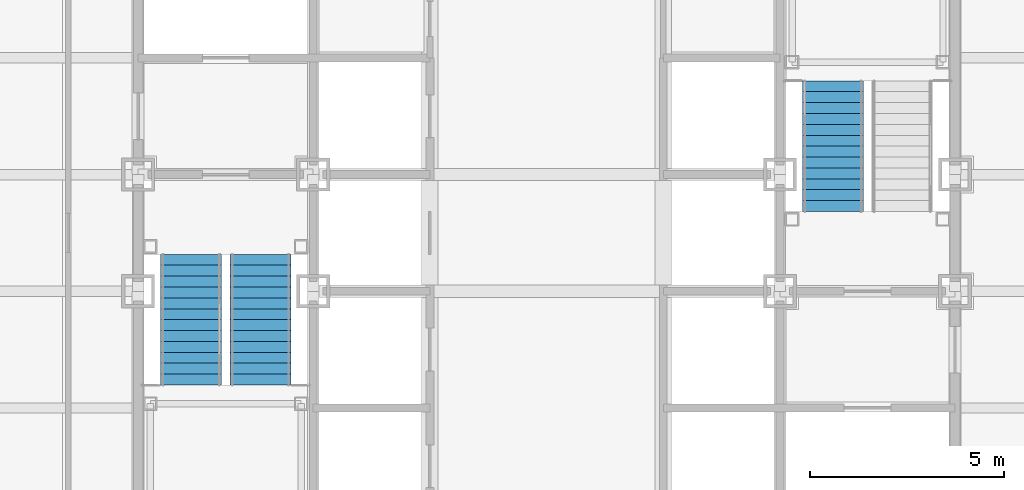
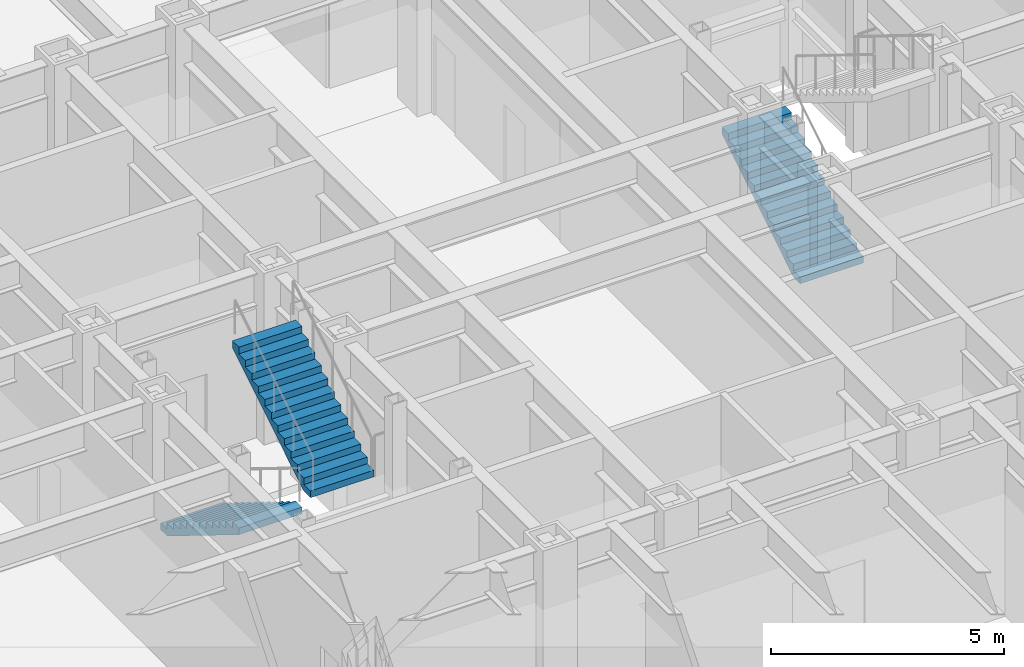
# One storey, part 12 of 17: 3 stair flights, 2 elements without a shape of their own.
"""IFC4 building model written with IfcOpenShell, lengths in metres."""

from ifc_helpers import new_model, si_unit, direction, frame, origin, place, context, subcontext, project, spatial, faceted_brep, material, type_object, element, aggregate, save


model = new_model("IFC4")

# Units and contexts
model_context = context("Model", 3, precision=1e-05, world=origin(), true_north=direction((0.0, 1.0)))
body_context = subcontext(model_context, "Body", "Model", "MODEL_VIEW")
ifc_project = project(units=[si_unit("LENGTHUNIT", "METRE"), si_unit("AREAUNIT", "SQUARE_METRE"), si_unit("VOLUMEUNIT", "CUBIC_METRE"), si_unit("PLANEANGLEUNIT", "RADIAN"), si_unit("MASSUNIT", "GRAM", prefix="KILO")], contexts=[model_context])

# Site, building, storey
site_placement = place(None, origin())
site = spatial("IfcSite", under=ifc_project, at=site_placement, CompositionType="ELEMENT")
building_placement = place(site_placement, origin())
building = spatial("IfcBuilding", under=site, at=building_placement, Name="Chuquiago Exchange Tower", CompositionType="ELEMENT")
storey_placement = place(building_placement, frame((0.0, 0.0, 91.800048828125)))
storey = spatial("IfcBuildingStorey", under=building, at=storey_placement, Name="L19", CompositionType="ELEMENT", Elevation=91.800048828125)

# Stair, stair flights
ifc_material_1 = material(Name="Concrete C30/37, precast", Category="concrete")
stair_type_1 = type_object("IfcStairType", Name="ST1 half-turn stair 4500", PredefinedType="HALF_TURN_STAIR", material=ifc_material_1)
stair_1_placement = place(storey_placement, origin())
stair_1 = element("IfcStair", 1, at=stair_1_placement, inside=storey, type_object=stair_type_1, Name="Stair ST1 L19", PredefinedType="HALF_TURN_STAIR")
ifc_material_2 = material(Name="Concrete C30/37, precast", Category="concrete")
stair_flight_type = type_object("IfcStairFlightType", Name="ST-F flight 1570 for 4500 storey", PredefinedType="STRAIGHT", material=ifc_material_2)
stair_flight_1_placement = place(storey_placement, frame((13.360107421875, 21.949951171875, 0.0), z_axis=(0.0, 0.0, 1.0), x_axis=(0.0, -1.0, 0.0)))
stair_flight_1 = element("IfcStairFlight", 2, at=stair_flight_1_placement, type_object=stair_flight_type, Name="ST1 flight 1", NumberOfRisers=13, NumberOfTreads=12, PredefinedType="STRAIGHT", RiserHeight=0.173076923, TreadLength=0.28, context=body_context, shape_type="Brep", body=[
    faceted_brep([(0.0, 0.78515625, 0.0), (0.0, 0.78515625, 0.173095703125), (0.280029296875, 0.78515625, 0.173095703125), (0.280029296875, 0.78515625, 0.34619140625), (0.56005859375, 0.78515625, 0.34619140625), (0.56005859375, 0.78515625, 0.519287109375), (0.840087890625, 0.78515625, 0.519287109375), (0.840087890625, 0.78515625, 0.6923828125), (1.1201171875, 0.78515625, 0.6923828125), (1.1201171875, 0.78515625, 0.865478515625), (1.39990234375, 0.78515625, 0.865478515625), (1.39990234375, 0.78515625, 1.03857421875), (1.679931640625, 0.78515625, 1.03857421875), (1.679931640625, 0.78515625, 1.21142578125), (1.9599609375, 0.78515625, 1.21142578125), (1.9599609375, 0.78515625, 1.384521484375), (2.239990234375, 0.78515625, 1.384521484375), (2.239990234375, 0.78515625, 1.5576171875), (2.52001953125, 0.78515625, 1.5576171875), (2.52001953125, 0.78515625, 1.730712890625), (2.800048828125, 0.78515625, 1.730712890625), (2.800048828125, 0.78515625, 1.90380859375), (3.080078125, 0.78515625, 1.90380859375), (3.080078125, 0.78515625, 2.076904296875), (3.360107421875, 0.78515625, 2.076904296875), (3.360107421875, 0.78515625, 1.900634765625), (0.28515625, 0.78515625, 0.0), (0.28515625, -0.78515625, 0.0), (3.360107421875, -0.78515625, 1.900634765625), (3.360107421875, -0.78515625, 2.076904296875), (3.080078125, -0.78515625, 2.076904296875), (3.080078125, -0.78515625, 1.90380859375), (2.800048828125, -0.78515625, 1.90380859375), (2.800048828125, -0.78515625, 1.730712890625), (2.52001953125, -0.78515625, 1.730712890625), (2.52001953125, -0.78515625, 1.5576171875), (2.239990234375, -0.78515625, 1.5576171875), (2.239990234375, -0.78515625, 1.384521484375), (1.9599609375, -0.78515625, 1.384521484375), (1.9599609375, -0.78515625, 1.21142578125), (1.679931640625, -0.78515625, 1.21142578125), (1.679931640625, -0.78515625, 1.03857421875), (1.39990234375, -0.78515625, 1.03857421875), (1.39990234375, -0.78515625, 0.865478515625), (1.1201171875, -0.78515625, 0.865478515625), (1.1201171875, -0.78515625, 0.6923828125), (0.840087890625, -0.78515625, 0.6923828125), (0.840087890625, -0.78515625, 0.519287109375), (0.56005859375, -0.78515625, 0.519287109375), (0.56005859375, -0.78515625, 0.34619140625), (0.280029296875, -0.78515625, 0.34619140625), (0.280029296875, -0.78515625, 0.173095703125), (0.0, -0.78515625, 0.173095703125), (0.0, -0.78515625, 0.0), (0.0, 0.392578125, 0.0), (0.0, 0.392578125, 0.173095703125), (0.0, 0.0, 0.0), (0.0, 0.0, 0.173095703125), (0.0, -0.392578125, 0.0), (0.0, -0.392578125, 0.173095703125), (0.280029296875, 0.392578125, 0.173095703125), (0.280029296875, 0.0, 0.173095703125), (0.280029296875, -0.392578125, 0.173095703125), (0.280029296875, 0.392578125, 0.34619140625), (0.280029296875, 0.0, 0.34619140625), (0.280029296875, -0.392578125, 0.34619140625), (0.56005859375, 0.392578125, 0.34619140625), (0.56005859375, 0.0, 0.34619140625), (0.56005859375, -0.392578125, 0.34619140625), (0.56005859375, 0.392578125, 0.519287109375), (0.56005859375, 0.0, 0.519287109375), (0.56005859375, -0.392578125, 0.519287109375), (0.840087890625, 0.392578125, 0.519287109375), (0.840087890625, 0.0, 0.519287109375), (0.840087890625, -0.392578125, 0.519287109375), (0.840087890625, 0.392578125, 0.6923828125), (0.840087890625, 0.0, 0.6923828125), (0.840087890625, -0.392578125, 0.6923828125), (1.1201171875, 0.392578125, 0.6923828125), (1.1201171875, 0.0, 0.6923828125), (1.1201171875, -0.392578125, 0.6923828125), (1.1201171875, 0.392578125, 0.865478515625), (1.1201171875, 0.0, 0.865478515625), (1.1201171875, -0.392578125, 0.865478515625), (1.39990234375, 0.392578125, 0.865478515625), (1.39990234375, 0.0, 0.865478515625), (1.39990234375, -0.392578125, 0.865478515625), (1.39990234375, 0.392578125, 1.03857421875), (1.39990234375, 0.0, 1.03857421875), (1.39990234375, -0.392578125, 1.03857421875), (1.679931640625, 0.392578125, 1.03857421875), (1.679931640625, 0.0, 1.03857421875), (1.679931640625, -0.392578125, 1.03857421875), (1.679931640625, 0.392578125, 1.21142578125), (1.679931640625, 0.0, 1.21142578125), (1.679931640625, -0.392578125, 1.21142578125), (1.9599609375, 0.392578125, 1.21142578125), (1.9599609375, 0.0, 1.21142578125), (1.9599609375, -0.392578125, 1.21142578125), (1.9599609375, 0.392578125, 1.384521484375), (1.9599609375, 0.0, 1.384521484375), (1.9599609375, -0.392578125, 1.384521484375), (2.239990234375, 0.392578125, 1.384521484375), (2.239990234375, 0.0, 1.384521484375), (2.239990234375, -0.392578125, 1.384521484375), (2.239990234375, 0.392578125, 1.5576171875), (2.239990234375, 0.0, 1.5576171875), (2.239990234375, -0.392578125, 1.5576171875), (2.52001953125, 0.392578125, 1.5576171875), (2.52001953125, 0.0, 1.5576171875), (2.52001953125, -0.392578125, 1.5576171875), (2.52001953125, 0.392578125, 1.730712890625), (2.52001953125, 0.0, 1.730712890625), (2.52001953125, -0.392578125, 1.730712890625), (2.800048828125, 0.392578125, 1.730712890625), (2.800048828125, 0.0, 1.730712890625), (2.800048828125, -0.392578125, 1.730712890625), (2.800048828125, 0.392578125, 1.90380859375), (2.800048828125, 0.0, 1.90380859375), (2.800048828125, -0.392578125, 1.90380859375), (3.080078125, 0.392578125, 1.90380859375), (3.080078125, 0.0, 1.90380859375), (3.080078125, -0.392578125, 1.90380859375), (3.080078125, 0.392578125, 2.076904296875), (3.080078125, 0.0, 2.076904296875), (3.080078125, -0.392578125, 2.076904296875), (3.360107421875, 0.392578125, 2.076904296875), (3.360107421875, 0.0, 2.076904296875), (3.360107421875, -0.392578125, 2.076904296875), (3.360107421875, 0.392578125, 1.900634765625), (3.360107421875, 0.0, 1.900634765625), (3.360107421875, -0.392578125, 1.900634765625), (0.28515625, 0.392578125, 0.0), (0.28515625, 0.0, 0.0), (0.28515625, -0.392578125, 0.0)], [[[0, 1, 2, 3, 4, 5, 6, 7, 8, 9, 10, 11, 12, 13, 14, 15, 16, 17, 18, 19, 20, 21, 22, 23, 24, 25, 26]], [[27, 28, 29, 30, 31, 32, 33, 34, 35, 36, 37, 38, 39, 40, 41, 42, 43, 44, 45, 46, 47, 48, 49, 50, 51, 52, 53]], [[1, 0, 54, 55]], [[55, 54, 56, 57]], [[57, 56, 58, 59]], [[59, 58, 53, 52]], [[2, 1, 55, 60]], [[60, 55, 57, 61]], [[61, 57, 59, 62]], [[62, 59, 52, 51]], [[3, 2, 60, 63]], [[63, 60, 61, 64]], [[64, 61, 62, 65]], [[65, 62, 51, 50]], [[4, 3, 63, 66]], [[66, 63, 64, 67]], [[67, 64, 65, 68]], [[68, 65, 50, 49]], [[5, 4, 66, 69]], [[69, 66, 67, 70]], [[70, 67, 68, 71]], [[71, 68, 49, 48]], [[6, 5, 69, 72]], [[72, 69, 70, 73]], [[73, 70, 71, 74]], [[74, 71, 48, 47]], [[7, 6, 72, 75]], [[75, 72, 73, 76]], [[76, 73, 74, 77]], [[77, 74, 47, 46]], [[8, 7, 75, 78]], [[78, 75, 76, 79]], [[79, 76, 77, 80]], [[80, 77, 46, 45]], [[9, 8, 78, 81]], [[81, 78, 79, 82]], [[82, 79, 80, 83]], [[83, 80, 45, 44]], [[10, 9, 81, 84]], [[84, 81, 82, 85]], [[85, 82, 83, 86]], [[86, 83, 44, 43]], [[11, 10, 84, 87]], [[87, 84, 85, 88]], [[88, 85, 86, 89]], [[89, 86, 43, 42]], [[12, 11, 87, 90]], [[90, 87, 88, 91]], [[91, 88, 89, 92]], [[92, 89, 42, 41]], [[13, 12, 90, 93]], [[93, 90, 91, 94]], [[94, 91, 92, 95]], [[95, 92, 41, 40]], [[14, 13, 93, 96]], [[96, 93, 94, 97]], [[97, 94, 95, 98]], [[98, 95, 40, 39]], [[15, 14, 96, 99]], [[99, 96, 97, 100]], [[100, 97, 98, 101]], [[101, 98, 39, 38]], [[16, 15, 99, 102]], [[102, 99, 100, 103]], [[103, 100, 101, 104]], [[104, 101, 38, 37]], [[17, 16, 102, 105]], [[105, 102, 103, 106]], [[106, 103, 104, 107]], [[107, 104, 37, 36]], [[18, 17, 105, 108]], [[108, 105, 106, 109]], [[109, 106, 107, 110]], [[110, 107, 36, 35]], [[19, 18, 108, 111]], [[111, 108, 109, 112]], [[112, 109, 110, 113]], [[113, 110, 35, 34]], [[20, 19, 111, 114]], [[114, 111, 112, 115]], [[115, 112, 113, 116]], [[116, 113, 34, 33]], [[21, 20, 114, 117]], [[117, 114, 115, 118]], [[118, 115, 116, 119]], [[119, 116, 33, 32]], [[22, 21, 117, 120]], [[120, 117, 118, 121]], [[121, 118, 119, 122]], [[122, 119, 32, 31]], [[23, 22, 120, 123]], [[123, 120, 121, 124]], [[124, 121, 122, 125]], [[125, 122, 31, 30]], [[24, 23, 123, 126]], [[126, 123, 124, 127]], [[127, 124, 125, 128]], [[128, 125, 30, 29]], [[25, 24, 126, 129]], [[129, 126, 127, 130]], [[130, 127, 128, 131]], [[131, 128, 29, 28]], [[26, 25, 129, 132]], [[132, 129, 130, 133]], [[133, 130, 131, 134]], [[134, 131, 28, 27]], [[0, 26, 132, 54]], [[54, 132, 133, 56]], [[56, 133, 134, 58]], [[58, 134, 27, 53]]]),
])
stair_flight_2_placement = place(storey_placement, frame((15.139892578125, 18.590087890625, 2.25), z_axis=(0.0, 0.0, 1.0), x_axis=(0.0, 1.0, 0.0)))
stair_flight_2 = element("IfcStairFlight", 3, at=stair_flight_2_placement, type_object=stair_flight_type, Name="ST1 flight 2", NumberOfRisers=13, NumberOfTreads=12, PredefinedType="STRAIGHT", RiserHeight=0.173076923, TreadLength=0.28, context=body_context, shape_type="Brep", body=[
    faceted_brep([(0.0, 0.78515625, 0.0), (0.0, 0.78515625, 0.173095703125), (0.280029296875, 0.78515625, 0.173095703125), (0.280029296875, 0.78515625, 0.34619140625), (0.56005859375, 0.78515625, 0.34619140625), (0.56005859375, 0.78515625, 0.519287109375), (0.840087890625, 0.78515625, 0.519287109375), (0.840087890625, 0.78515625, 0.6923828125), (1.1201171875, 0.78515625, 0.6923828125), (1.1201171875, 0.78515625, 0.865478515625), (1.39990234375, 0.78515625, 0.865478515625), (1.39990234375, 0.78515625, 1.03857421875), (1.679931640625, 0.78515625, 1.03857421875), (1.679931640625, 0.78515625, 1.21142578125), (1.9599609375, 0.78515625, 1.21142578125), (1.9599609375, 0.78515625, 1.384521484375), (2.239990234375, 0.78515625, 1.384521484375), (2.239990234375, 0.78515625, 1.5576171875), (2.52001953125, 0.78515625, 1.5576171875), (2.52001953125, 0.78515625, 1.730712890625), (2.800048828125, 0.78515625, 1.730712890625), (2.800048828125, 0.78515625, 1.90380859375), (3.080078125, 0.78515625, 1.90380859375), (3.080078125, 0.78515625, 2.076904296875), (3.360107421875, 0.78515625, 2.076904296875), (3.360107421875, 0.78515625, 1.900634765625), (0.28515625, 0.78515625, 0.0), (0.28515625, -0.78515625, 0.0), (3.360107421875, -0.78515625, 1.900634765625), (3.360107421875, -0.78515625, 2.076904296875), (3.080078125, -0.78515625, 2.076904296875), (3.080078125, -0.78515625, 1.90380859375), (2.800048828125, -0.78515625, 1.90380859375), (2.800048828125, -0.78515625, 1.730712890625), (2.52001953125, -0.78515625, 1.730712890625), (2.52001953125, -0.78515625, 1.5576171875), (2.239990234375, -0.78515625, 1.5576171875), (2.239990234375, -0.78515625, 1.384521484375), (1.9599609375, -0.78515625, 1.384521484375), (1.9599609375, -0.78515625, 1.21142578125), (1.679931640625, -0.78515625, 1.21142578125), (1.679931640625, -0.78515625, 1.03857421875), (1.39990234375, -0.78515625, 1.03857421875), (1.39990234375, -0.78515625, 0.865478515625), (1.1201171875, -0.78515625, 0.865478515625), (1.1201171875, -0.78515625, 0.6923828125), (0.840087890625, -0.78515625, 0.6923828125), (0.840087890625, -0.78515625, 0.519287109375), (0.56005859375, -0.78515625, 0.519287109375), (0.56005859375, -0.78515625, 0.34619140625), (0.280029296875, -0.78515625, 0.34619140625), (0.280029296875, -0.78515625, 0.173095703125), (0.0, -0.78515625, 0.173095703125), (0.0, -0.78515625, 0.0), (0.0, 0.392578125, 0.0), (0.0, 0.392578125, 0.173095703125), (0.0, 0.0, 0.0), (0.0, 0.0, 0.173095703125), (0.0, -0.392578125, 0.0), (0.0, -0.392578125, 0.173095703125), (0.280029296875, 0.392578125, 0.173095703125), (0.280029296875, 0.0, 0.173095703125), (0.280029296875, -0.392578125, 0.173095703125), (0.280029296875, 0.392578125, 0.34619140625), (0.280029296875, 0.0, 0.34619140625), (0.280029296875, -0.392578125, 0.34619140625), (0.56005859375, 0.392578125, 0.34619140625), (0.56005859375, 0.0, 0.34619140625), (0.56005859375, -0.392578125, 0.34619140625), (0.56005859375, 0.392578125, 0.519287109375), (0.56005859375, 0.0, 0.519287109375), (0.56005859375, -0.392578125, 0.519287109375), (0.840087890625, 0.392578125, 0.519287109375), (0.840087890625, 0.0, 0.519287109375), (0.840087890625, -0.392578125, 0.519287109375), (0.840087890625, 0.392578125, 0.6923828125), (0.840087890625, 0.0, 0.6923828125), (0.840087890625, -0.392578125, 0.6923828125), (1.1201171875, 0.392578125, 0.6923828125), (1.1201171875, 0.0, 0.6923828125), (1.1201171875, -0.392578125, 0.6923828125), (1.1201171875, 0.392578125, 0.865478515625), (1.1201171875, 0.0, 0.865478515625), (1.1201171875, -0.392578125, 0.865478515625), (1.39990234375, 0.392578125, 0.865478515625), (1.39990234375, 0.0, 0.865478515625), (1.39990234375, -0.392578125, 0.865478515625), (1.39990234375, 0.392578125, 1.03857421875), (1.39990234375, 0.0, 1.03857421875), (1.39990234375, -0.392578125, 1.03857421875), (1.679931640625, 0.392578125, 1.03857421875), (1.679931640625, 0.0, 1.03857421875), (1.679931640625, -0.392578125, 1.03857421875), (1.679931640625, 0.392578125, 1.21142578125), (1.679931640625, 0.0, 1.21142578125), (1.679931640625, -0.392578125, 1.21142578125), (1.9599609375, 0.392578125, 1.21142578125), (1.9599609375, 0.0, 1.21142578125), (1.9599609375, -0.392578125, 1.21142578125), (1.9599609375, 0.392578125, 1.384521484375), (1.9599609375, 0.0, 1.384521484375), (1.9599609375, -0.392578125, 1.384521484375), (2.239990234375, 0.392578125, 1.384521484375), (2.239990234375, 0.0, 1.384521484375), (2.239990234375, -0.392578125, 1.384521484375), (2.239990234375, 0.392578125, 1.5576171875), (2.239990234375, 0.0, 1.5576171875), (2.239990234375, -0.392578125, 1.5576171875), (2.52001953125, 0.392578125, 1.5576171875), (2.52001953125, 0.0, 1.5576171875), (2.52001953125, -0.392578125, 1.5576171875), (2.52001953125, 0.392578125, 1.730712890625), (2.52001953125, 0.0, 1.730712890625), (2.52001953125, -0.392578125, 1.730712890625), (2.800048828125, 0.392578125, 1.730712890625), (2.800048828125, 0.0, 1.730712890625), (2.800048828125, -0.392578125, 1.730712890625), (2.800048828125, 0.392578125, 1.90380859375), (2.800048828125, 0.0, 1.90380859375), (2.800048828125, -0.392578125, 1.90380859375), (3.080078125, 0.392578125, 1.90380859375), (3.080078125, 0.0, 1.90380859375), (3.080078125, -0.392578125, 1.90380859375), (3.080078125, 0.392578125, 2.076904296875), (3.080078125, 0.0, 2.076904296875), (3.080078125, -0.392578125, 2.076904296875), (3.360107421875, 0.392578125, 2.076904296875), (3.360107421875, 0.0, 2.076904296875), (3.360107421875, -0.392578125, 2.076904296875), (3.360107421875, 0.392578125, 1.900634765625), (3.360107421875, 0.0, 1.900634765625), (3.360107421875, -0.392578125, 1.900634765625), (0.28515625, 0.392578125, 0.0), (0.28515625, 0.0, 0.0), (0.28515625, -0.392578125, 0.0)], [[[0, 1, 2, 3, 4, 5, 6, 7, 8, 9, 10, 11, 12, 13, 14, 15, 16, 17, 18, 19, 20, 21, 22, 23, 24, 25, 26]], [[27, 28, 29, 30, 31, 32, 33, 34, 35, 36, 37, 38, 39, 40, 41, 42, 43, 44, 45, 46, 47, 48, 49, 50, 51, 52, 53]], [[1, 0, 54, 55]], [[55, 54, 56, 57]], [[57, 56, 58, 59]], [[59, 58, 53, 52]], [[2, 1, 55, 60]], [[60, 55, 57, 61]], [[61, 57, 59, 62]], [[62, 59, 52, 51]], [[3, 2, 60, 63]], [[63, 60, 61, 64]], [[64, 61, 62, 65]], [[65, 62, 51, 50]], [[4, 3, 63, 66]], [[66, 63, 64, 67]], [[67, 64, 65, 68]], [[68, 65, 50, 49]], [[5, 4, 66, 69]], [[69, 66, 67, 70]], [[70, 67, 68, 71]], [[71, 68, 49, 48]], [[6, 5, 69, 72]], [[72, 69, 70, 73]], [[73, 70, 71, 74]], [[74, 71, 48, 47]], [[7, 6, 72, 75]], [[75, 72, 73, 76]], [[76, 73, 74, 77]], [[77, 74, 47, 46]], [[8, 7, 75, 78]], [[78, 75, 76, 79]], [[79, 76, 77, 80]], [[80, 77, 46, 45]], [[9, 8, 78, 81]], [[81, 78, 79, 82]], [[82, 79, 80, 83]], [[83, 80, 45, 44]], [[10, 9, 81, 84]], [[84, 81, 82, 85]], [[85, 82, 83, 86]], [[86, 83, 44, 43]], [[11, 10, 84, 87]], [[87, 84, 85, 88]], [[88, 85, 86, 89]], [[89, 86, 43, 42]], [[12, 11, 87, 90]], [[90, 87, 88, 91]], [[91, 88, 89, 92]], [[92, 89, 42, 41]], [[13, 12, 90, 93]], [[93, 90, 91, 94]], [[94, 91, 92, 95]], [[95, 92, 41, 40]], [[14, 13, 93, 96]], [[96, 93, 94, 97]], [[97, 94, 95, 98]], [[98, 95, 40, 39]], [[15, 14, 96, 99]], [[99, 96, 97, 100]], [[100, 97, 98, 101]], [[101, 98, 39, 38]], [[16, 15, 99, 102]], [[102, 99, 100, 103]], [[103, 100, 101, 104]], [[104, 101, 38, 37]], [[17, 16, 102, 105]], [[105, 102, 103, 106]], [[106, 103, 104, 107]], [[107, 104, 37, 36]], [[18, 17, 105, 108]], [[108, 105, 106, 109]], [[109, 106, 107, 110]], [[110, 107, 36, 35]], [[19, 18, 108, 111]], [[111, 108, 109, 112]], [[112, 109, 110, 113]], [[113, 110, 35, 34]], [[20, 19, 111, 114]], [[114, 111, 112, 115]], [[115, 112, 113, 116]], [[116, 113, 34, 33]], [[21, 20, 114, 117]], [[117, 114, 115, 118]], [[118, 115, 116, 119]], [[119, 116, 33, 32]], [[22, 21, 117, 120]], [[120, 117, 118, 121]], [[121, 118, 119, 122]], [[122, 119, 32, 31]], [[23, 22, 120, 123]], [[123, 120, 121, 124]], [[124, 121, 122, 125]], [[125, 122, 31, 30]], [[24, 23, 123, 126]], [[126, 123, 124, 127]], [[127, 124, 125, 128]], [[128, 125, 30, 29]], [[25, 24, 126, 129]], [[129, 126, 127, 130]], [[130, 127, 128, 131]], [[131, 128, 29, 28]], [[26, 25, 129, 132]], [[132, 129, 130, 133]], [[133, 130, 131, 134]], [[134, 131, 28, 27]], [[0, 26, 132, 54]], [[54, 132, 133, 56]], [[56, 133, 134, 58]], [[58, 134, 27, 53]]]),
])
aggregate(stair_1, [stair_flight_1, stair_flight_2])

# Stair, stair flight
ifc_material_3 = material(Name="Concrete C30/37, precast", Category="concrete")
stair_type_2 = type_object("IfcStairType", Name="ST2 half-turn stair 4500", PredefinedType="HALF_TURN_STAIR", material=ifc_material_3)
stair_2_placement = place(storey_placement, origin())
stair_2 = element("IfcStair", 4, at=stair_2_placement, inside=storey, type_object=stair_type_2, Name="Stair ST2 L19", PredefinedType="HALF_TURN_STAIR")
stair_flight_3_placement = place(storey_placement, frame((29.860107421875, 23.050048828125, 0.0), z_axis=(0.0, 0.0, 1.0), x_axis=(0.0, 1.0, 0.0)))
stair_flight_3 = element("IfcStairFlight", 5, at=stair_flight_3_placement, type_object=stair_flight_type, Name="ST2 flight 1", NumberOfRisers=13, NumberOfTreads=12, PredefinedType="STRAIGHT", RiserHeight=0.173076923, TreadLength=0.28, context=body_context, shape_type="Brep", body=[
    faceted_brep([(0.0, 0.78515625, 0.0), (0.0, 0.78515625, 0.173095703125), (0.280029296875, 0.78515625, 0.173095703125), (0.280029296875, 0.78515625, 0.34619140625), (0.56005859375, 0.78515625, 0.34619140625), (0.56005859375, 0.78515625, 0.519287109375), (0.840087890625, 0.78515625, 0.519287109375), (0.840087890625, 0.78515625, 0.6923828125), (1.1201171875, 0.78515625, 0.6923828125), (1.1201171875, 0.78515625, 0.865478515625), (1.39990234375, 0.78515625, 0.865478515625), (1.39990234375, 0.78515625, 1.03857421875), (1.679931640625, 0.78515625, 1.03857421875), (1.679931640625, 0.78515625, 1.21142578125), (1.9599609375, 0.78515625, 1.21142578125), (1.9599609375, 0.78515625, 1.384521484375), (2.239990234375, 0.78515625, 1.384521484375), (2.239990234375, 0.78515625, 1.5576171875), (2.52001953125, 0.78515625, 1.5576171875), (2.52001953125, 0.78515625, 1.730712890625), (2.800048828125, 0.78515625, 1.730712890625), (2.800048828125, 0.78515625, 1.90380859375), (3.080078125, 0.78515625, 1.90380859375), (3.080078125, 0.78515625, 2.076904296875), (3.360107421875, 0.78515625, 2.076904296875), (3.360107421875, 0.78515625, 1.900634765625), (0.28515625, 0.78515625, 0.0), (0.28515625, -0.78515625, 0.0), (3.360107421875, -0.78515625, 1.900634765625), (3.360107421875, -0.78515625, 2.076904296875), (3.080078125, -0.78515625, 2.076904296875), (3.080078125, -0.78515625, 1.90380859375), (2.800048828125, -0.78515625, 1.90380859375), (2.800048828125, -0.78515625, 1.730712890625), (2.52001953125, -0.78515625, 1.730712890625), (2.52001953125, -0.78515625, 1.5576171875), (2.239990234375, -0.78515625, 1.5576171875), (2.239990234375, -0.78515625, 1.384521484375), (1.9599609375, -0.78515625, 1.384521484375), (1.9599609375, -0.78515625, 1.21142578125), (1.679931640625, -0.78515625, 1.21142578125), (1.679931640625, -0.78515625, 1.03857421875), (1.39990234375, -0.78515625, 1.03857421875), (1.39990234375, -0.78515625, 0.865478515625), (1.1201171875, -0.78515625, 0.865478515625), (1.1201171875, -0.78515625, 0.6923828125), (0.840087890625, -0.78515625, 0.6923828125), (0.840087890625, -0.78515625, 0.519287109375), (0.56005859375, -0.78515625, 0.519287109375), (0.56005859375, -0.78515625, 0.34619140625), (0.280029296875, -0.78515625, 0.34619140625), (0.280029296875, -0.78515625, 0.173095703125), (0.0, -0.78515625, 0.173095703125), (0.0, -0.78515625, 0.0), (0.0, 0.392578125, 0.0), (0.0, 0.392578125, 0.173095703125), (0.0, 0.0, 0.0), (0.0, 0.0, 0.173095703125), (0.0, -0.392578125, 0.0), (0.0, -0.392578125, 0.173095703125), (0.280029296875, 0.392578125, 0.173095703125), (0.280029296875, 0.0, 0.173095703125), (0.280029296875, -0.392578125, 0.173095703125), (0.280029296875, 0.392578125, 0.34619140625), (0.280029296875, 0.0, 0.34619140625), (0.280029296875, -0.392578125, 0.34619140625), (0.56005859375, 0.392578125, 0.34619140625), (0.56005859375, 0.0, 0.34619140625), (0.56005859375, -0.392578125, 0.34619140625), (0.56005859375, 0.392578125, 0.519287109375), (0.56005859375, 0.0, 0.519287109375), (0.56005859375, -0.392578125, 0.519287109375), (0.840087890625, 0.392578125, 0.519287109375), (0.840087890625, 0.0, 0.519287109375), (0.840087890625, -0.392578125, 0.519287109375), (0.840087890625, 0.392578125, 0.6923828125), (0.840087890625, 0.0, 0.6923828125), (0.840087890625, -0.392578125, 0.6923828125), (1.1201171875, 0.392578125, 0.6923828125), (1.1201171875, 0.0, 0.6923828125), (1.1201171875, -0.392578125, 0.6923828125), (1.1201171875, 0.392578125, 0.865478515625), (1.1201171875, 0.0, 0.865478515625), (1.1201171875, -0.392578125, 0.865478515625), (1.39990234375, 0.392578125, 0.865478515625), (1.39990234375, 0.0, 0.865478515625), (1.39990234375, -0.392578125, 0.865478515625), (1.39990234375, 0.392578125, 1.03857421875), (1.39990234375, 0.0, 1.03857421875), (1.39990234375, -0.392578125, 1.03857421875), (1.679931640625, 0.392578125, 1.03857421875), (1.679931640625, 0.0, 1.03857421875), (1.679931640625, -0.392578125, 1.03857421875), (1.679931640625, 0.392578125, 1.21142578125), (1.679931640625, 0.0, 1.21142578125), (1.679931640625, -0.392578125, 1.21142578125), (1.9599609375, 0.392578125, 1.21142578125), (1.9599609375, 0.0, 1.21142578125), (1.9599609375, -0.392578125, 1.21142578125), (1.9599609375, 0.392578125, 1.384521484375), (1.9599609375, 0.0, 1.384521484375), (1.9599609375, -0.392578125, 1.384521484375), (2.239990234375, 0.392578125, 1.384521484375), (2.239990234375, 0.0, 1.384521484375), (2.239990234375, -0.392578125, 1.384521484375), (2.239990234375, 0.392578125, 1.5576171875), (2.239990234375, 0.0, 1.5576171875), (2.239990234375, -0.392578125, 1.5576171875), (2.52001953125, 0.392578125, 1.5576171875), (2.52001953125, 0.0, 1.5576171875), (2.52001953125, -0.392578125, 1.5576171875), (2.52001953125, 0.392578125, 1.730712890625), (2.52001953125, 0.0, 1.730712890625), (2.52001953125, -0.392578125, 1.730712890625), (2.800048828125, 0.392578125, 1.730712890625), (2.800048828125, 0.0, 1.730712890625), (2.800048828125, -0.392578125, 1.730712890625), (2.800048828125, 0.392578125, 1.90380859375), (2.800048828125, 0.0, 1.90380859375), (2.800048828125, -0.392578125, 1.90380859375), (3.080078125, 0.392578125, 1.90380859375), (3.080078125, 0.0, 1.90380859375), (3.080078125, -0.392578125, 1.90380859375), (3.080078125, 0.392578125, 2.076904296875), (3.080078125, 0.0, 2.076904296875), (3.080078125, -0.392578125, 2.076904296875), (3.360107421875, 0.392578125, 2.076904296875), (3.360107421875, 0.0, 2.076904296875), (3.360107421875, -0.392578125, 2.076904296875), (3.360107421875, 0.392578125, 1.900634765625), (3.360107421875, 0.0, 1.900634765625), (3.360107421875, -0.392578125, 1.900634765625), (0.28515625, 0.392578125, 0.0), (0.28515625, 0.0, 0.0), (0.28515625, -0.392578125, 0.0)], [[[0, 1, 2, 3, 4, 5, 6, 7, 8, 9, 10, 11, 12, 13, 14, 15, 16, 17, 18, 19, 20, 21, 22, 23, 24, 25, 26]], [[27, 28, 29, 30, 31, 32, 33, 34, 35, 36, 37, 38, 39, 40, 41, 42, 43, 44, 45, 46, 47, 48, 49, 50, 51, 52, 53]], [[1, 0, 54, 55]], [[55, 54, 56, 57]], [[57, 56, 58, 59]], [[59, 58, 53, 52]], [[2, 1, 55, 60]], [[60, 55, 57, 61]], [[61, 57, 59, 62]], [[62, 59, 52, 51]], [[3, 2, 60, 63]], [[63, 60, 61, 64]], [[64, 61, 62, 65]], [[65, 62, 51, 50]], [[4, 3, 63, 66]], [[66, 63, 64, 67]], [[67, 64, 65, 68]], [[68, 65, 50, 49]], [[5, 4, 66, 69]], [[69, 66, 67, 70]], [[70, 67, 68, 71]], [[71, 68, 49, 48]], [[6, 5, 69, 72]], [[72, 69, 70, 73]], [[73, 70, 71, 74]], [[74, 71, 48, 47]], [[7, 6, 72, 75]], [[75, 72, 73, 76]], [[76, 73, 74, 77]], [[77, 74, 47, 46]], [[8, 7, 75, 78]], [[78, 75, 76, 79]], [[79, 76, 77, 80]], [[80, 77, 46, 45]], [[9, 8, 78, 81]], [[81, 78, 79, 82]], [[82, 79, 80, 83]], [[83, 80, 45, 44]], [[10, 9, 81, 84]], [[84, 81, 82, 85]], [[85, 82, 83, 86]], [[86, 83, 44, 43]], [[11, 10, 84, 87]], [[87, 84, 85, 88]], [[88, 85, 86, 89]], [[89, 86, 43, 42]], [[12, 11, 87, 90]], [[90, 87, 88, 91]], [[91, 88, 89, 92]], [[92, 89, 42, 41]], [[13, 12, 90, 93]], [[93, 90, 91, 94]], [[94, 91, 92, 95]], [[95, 92, 41, 40]], [[14, 13, 93, 96]], [[96, 93, 94, 97]], [[97, 94, 95, 98]], [[98, 95, 40, 39]], [[15, 14, 96, 99]], [[99, 96, 97, 100]], [[100, 97, 98, 101]], [[101, 98, 39, 38]], [[16, 15, 99, 102]], [[102, 99, 100, 103]], [[103, 100, 101, 104]], [[104, 101, 38, 37]], [[17, 16, 102, 105]], [[105, 102, 103, 106]], [[106, 103, 104, 107]], [[107, 104, 37, 36]], [[18, 17, 105, 108]], [[108, 105, 106, 109]], [[109, 106, 107, 110]], [[110, 107, 36, 35]], [[19, 18, 108, 111]], [[111, 108, 109, 112]], [[112, 109, 110, 113]], [[113, 110, 35, 34]], [[20, 19, 111, 114]], [[114, 111, 112, 115]], [[115, 112, 113, 116]], [[116, 113, 34, 33]], [[21, 20, 114, 117]], [[117, 114, 115, 118]], [[118, 115, 116, 119]], [[119, 116, 33, 32]], [[22, 21, 117, 120]], [[120, 117, 118, 121]], [[121, 118, 119, 122]], [[122, 119, 32, 31]], [[23, 22, 120, 123]], [[123, 120, 121, 124]], [[124, 121, 122, 125]], [[125, 122, 31, 30]], [[24, 23, 123, 126]], [[126, 123, 124, 127]], [[127, 124, 125, 128]], [[128, 125, 30, 29]], [[25, 24, 126, 129]], [[129, 126, 127, 130]], [[130, 127, 128, 131]], [[131, 128, 29, 28]], [[26, 25, 129, 132]], [[132, 129, 130, 133]], [[133, 130, 131, 134]], [[134, 131, 28, 27]], [[0, 26, 132, 54]], [[54, 132, 133, 56]], [[56, 133, 134, 58]], [[58, 134, 27, 53]]]),
])
aggregate(stair_2, [stair_flight_3])

save(model, "model.ifc")
